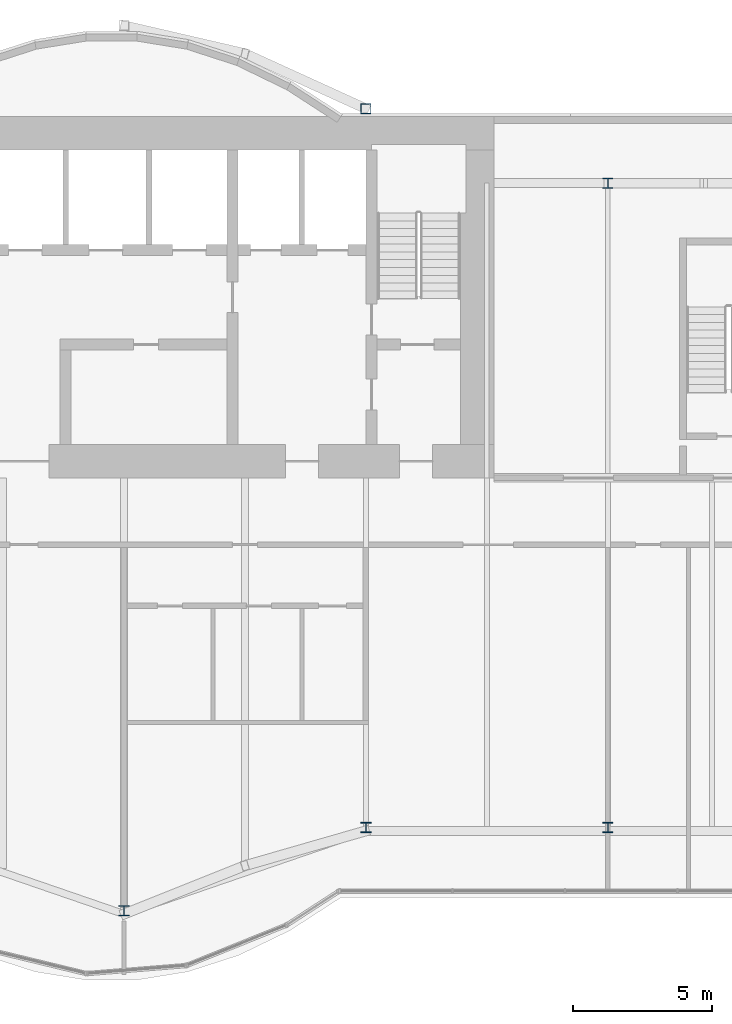
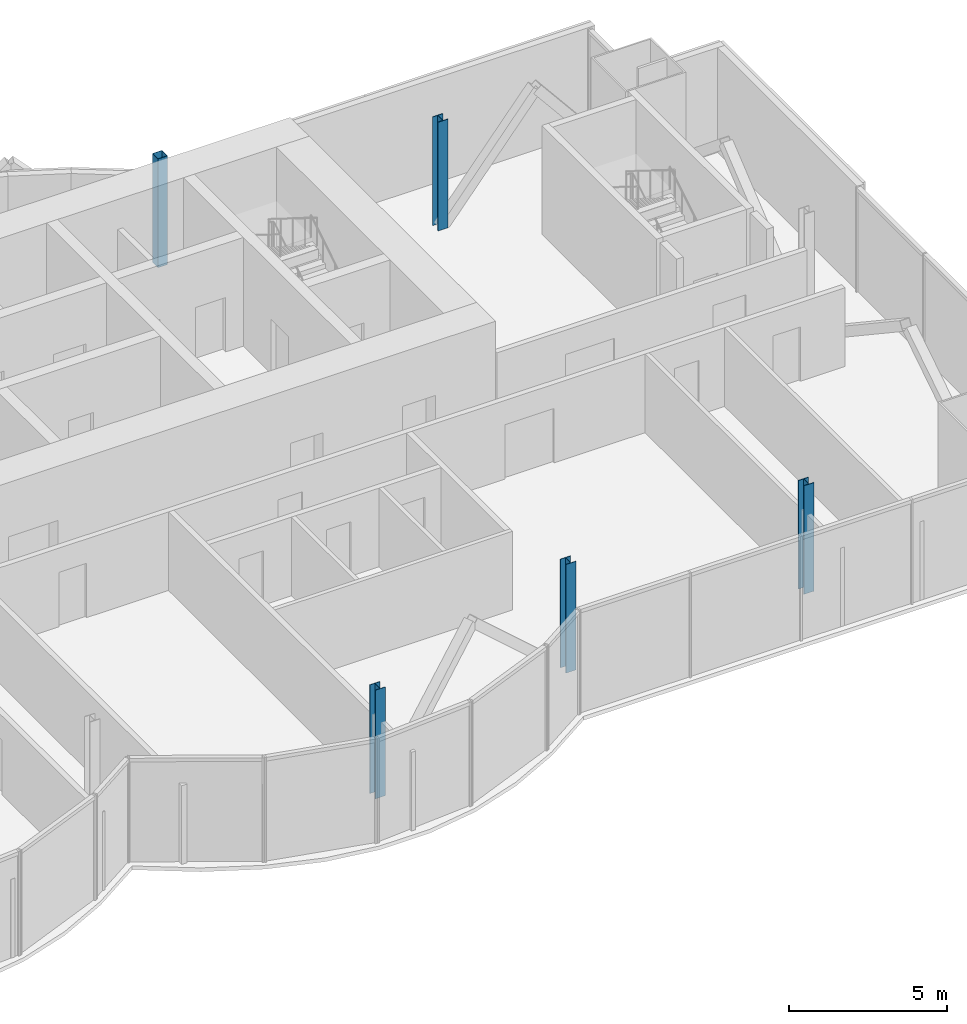
# One storey, part 2 of 19: 5 columns.
"""IFC4 building model written with IfcOpenShell, lengths in metres."""

from ifc_helpers import new_model, si_unit, direction, frame, origin, origin_2d, place, context, subcontext, project, spatial, hollow_rectangle, i_section, extrude, material, material_profile, profile_set, type_object, element, save


model = new_model("IFC4")

# Units and contexts
model_context = context("Model", 3, precision=1e-05, world=origin(), true_north=direction((0.0, 1.0)))
body_context = subcontext(model_context, "Body", "Model", "MODEL_VIEW")
ifc_project = project(units=[si_unit("LENGTHUNIT", "METRE"), si_unit("AREAUNIT", "SQUARE_METRE"), si_unit("VOLUMEUNIT", "CUBIC_METRE"), si_unit("PLANEANGLEUNIT", "RADIAN"), si_unit("MASSUNIT", "GRAM", prefix="KILO")], contexts=[model_context])

# Site, building, storey
site_placement = place(None, origin())
site = spatial("IfcSite", under=ifc_project, at=site_placement, CompositionType="ELEMENT")
building_placement = place(site_placement, origin())
building = spatial("IfcBuilding", under=site, at=building_placement, Name="Bicima Exchange Tower", CompositionType="ELEMENT")
storey_placement = place(building_placement, frame((0.0, 0.0, 279.199951171875)))
storey = spatial("IfcBuildingStorey", under=building, at=storey_placement, Name="L63", CompositionType="ELEMENT", Elevation=279.199951171875)

# Columns
ifc_material_1 = material(Name="Steel ASTM A992 Gr 50", Category="steel")
ifc_material_profile_1 = material_profile(ifc_material_1, i_section(OverallWidth=0.370849609375, OverallDepth=0.36328125, WebThickness=0.013427734375, FlangeThickness=0.021728515625, at=origin_2d()))
ifc_profile_set_1 = profile_set([ifc_material_profile_1], Name="Steel ASTM A992 Gr 50")
column_type_1 = type_object("IfcColumnType", Name="Perimeter column W14x109", PredefinedType="COLUMN", material=ifc_profile_set_1)
for number, where, z_axis, x_axis, name in (
    (1, (8.699951171875, -28.56103515625, 0.0), (0.0, 0.0, 1.0), (1.0, 0.0, 0.0), "Perimeter column grav+8.7f"),
    (2, (17.39990234375, -25.570068359375, 0.0), (0.0, 0.0, 1.0), (1.0, 0.0, 0.0), "Perimeter column grav+17.4f"),
    (3, (26.10009765625, -25.570068359375, 0.0), (0.0, 0.0, 1.0), (1.0, 0.0, 0.0), "Perimeter column grav+26.1f"),
    (4, (26.10009765625, -2.39990234375, 0.0), (0.0, 0.0, 1.0), (1.0, 0.0, 0.0), "Perimeter column grav+26.1r"),
):
    element("IfcColumn", number, at=place(storey_placement, frame(where, z_axis=z_axis, x_axis=x_axis)), inside=storey, type_object=column_type_1, Name=name, PredefinedType="COLUMN", context=body_context, shape_type="SweptSolid", body=[
        extrude(i_section(OverallWidth=0.370849609375, OverallDepth=0.36328125, WebThickness=0.013427734375, FlangeThickness=0.021728515625, at=origin_2d()), origin(), (0.0, 0.0, 1.0), 4.199951171875),
    ])
ifc_material_2 = material(Name="Steel ASTM A572 Gr 50", Category="steel")
ifc_material_profile_2 = material_profile(ifc_material_2, hollow_rectangle(XDim=0.355712890625, YDim=0.355712890625, WallThickness=0.01171875, at=origin_2d()))
ifc_profile_set_2 = profile_set([ifc_material_profile_2], Name="Steel ASTM A572 Gr 50")
column_type_2 = type_object("IfcColumnType", Name="Rear pilaster HSS14x14x1/2", PredefinedType="COLUMN", material=ifc_profile_set_2)
column_placement = place(storey_placement, frame((17.39990234375, 0.278076171875, 0.0), z_axis=(0.0, 0.0, 1.0), x_axis=(1.0, 0.0, 0.0)))
element("IfcColumn", 5, at=column_placement, inside=storey, type_object=column_type_2, Name="Rear pilaster rexo+17.4r", PredefinedType="COLUMN", context=body_context, shape_type="SweptSolid", body=[
    extrude(hollow_rectangle(XDim=0.355712890625, YDim=0.355712890625, WallThickness=0.01171875, at=origin_2d()), origin(), (0.0, 0.0, 1.0), 4.199951171875),
])

save(model, "model.ifc")
